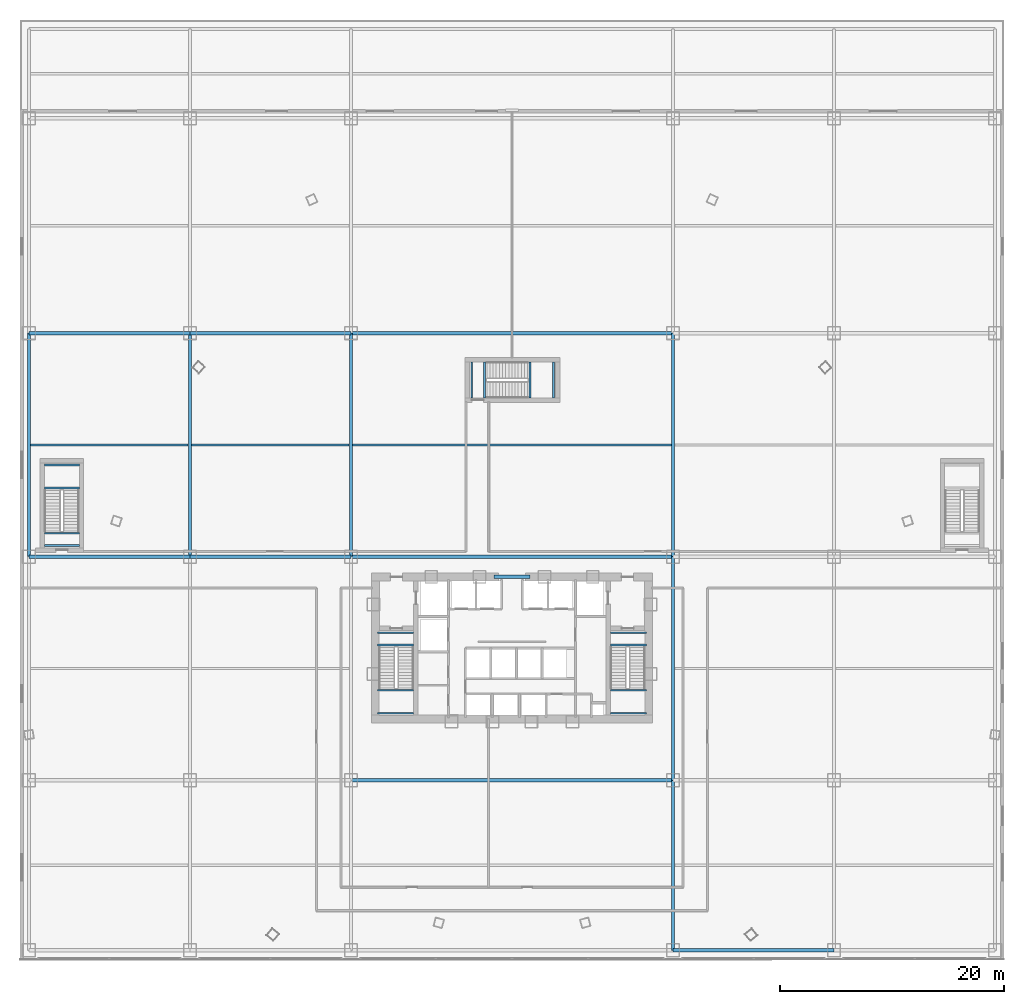
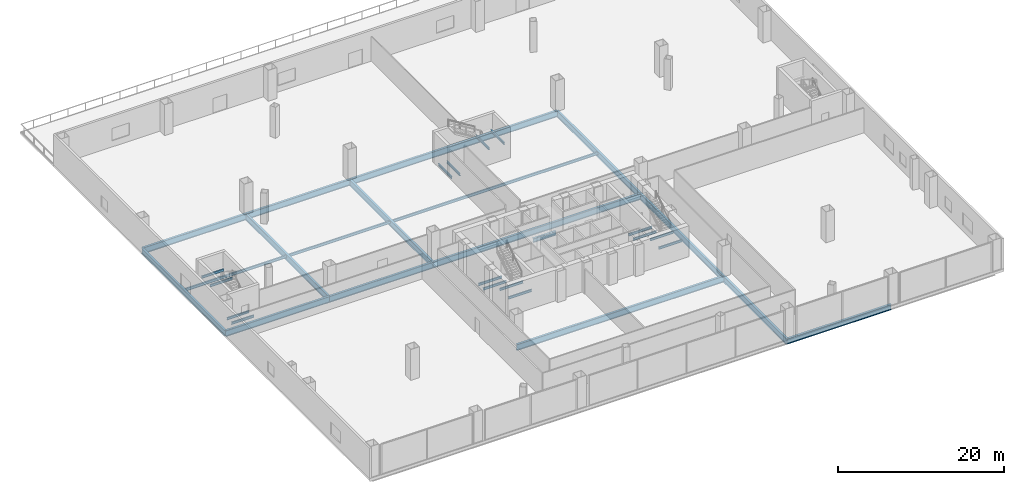
# One storey, part 12 of 27: 34 beams.
"""IFC4 building model written with IfcOpenShell, lengths in metres."""

from ifc_helpers import new_model, si_unit, direction, frame, origin, origin_2d, place, context, subcontext, project, spatial, i_section, extrude, source, transform, mapped, material, material_profile, profile_set, type_object, element, save


model = new_model("IFC4")

# Units and contexts
model_context = context("Model", 3, precision=1e-05, world=origin(), true_north=direction((0.0, 1.0)))
body_context = subcontext(model_context, "Body", "Model", "MODEL_VIEW")
ifc_project = project(units=[si_unit("LENGTHUNIT", "METRE"), si_unit("AREAUNIT", "SQUARE_METRE"), si_unit("VOLUMEUNIT", "CUBIC_METRE"), si_unit("PLANEANGLEUNIT", "RADIAN"), si_unit("MASSUNIT", "GRAM", prefix="KILO"), si_unit("THERMODYNAMICTEMPERATUREUNIT", "KELVIN"), si_unit("POWERUNIT", "WATT")], contexts=[model_context])

# Site, building, storey
site_placement = place(None, origin())
site = spatial("IfcSite", under=ifc_project, at=site_placement, CompositionType="ELEMENT")
building_placement = place(site_placement, origin())
building = spatial("IfcBuilding", under=site, at=building_placement, Name="Yunzhuo Pagoda Commons", CompositionType="ELEMENT")
storey_placement = place(building_placement, frame((0.0, 0.0, 9.60009765625)))
storey = spatial("IfcBuildingStorey", under=building, at=storey_placement, Name="L03", CompositionType="ELEMENT", Elevation=9.60009765625)

# Beams
ifc_material_1 = material(Name="Structural steel Q355B", Category="steel")
ifc_material_profile_1 = material_profile(ifc_material_1, i_section(OverallWidth=0.175048828125, OverallDepth=0.35009765625, WebThickness=0.007080078125, FlangeThickness=0.010986328125, at=origin_2d()), Name="Structural steel Q355B")
ifc_profile_set_1 = profile_set([ifc_material_profile_1], Name="Structural steel Q355B")
beam_type_1 = type_object("IfcBeamType", Name="B-JS2 Joist HN 350x175x7x11", PredefinedType="JOIST", material=ifc_profile_set_1)
shared_shape_1 = source(origin(), body_context, "Body", "SweptSolid", [
    extrude(i_section(OverallWidth=0.175048828125, OverallDepth=0.35009765625, WebThickness=0.007080078125, FlangeThickness=0.010986328125, at=origin_2d()), origin(), (0.0, 0.0, 1.0), 3.25),
])
for number, where, z_axis, x_axis, name in (
    (1, (35.949951171875, 28.0, 2.02490234375), (1.0, 0.0, 0.0), (0.0, 1.0, 0.0), "L03 ST1 landing support beam 5A"),
    (2, (35.949951171875, 30.06005859375, 2.02490234375), (1.0, 0.0, 0.0), (0.0, 1.0, 0.0), "L03 ST1 landing support beam 5B"),
    (3, (35.949951171875, 34.10009765625, -0.375), (1.0, 0.0, 0.0), (0.0, 1.0, 0.0), "L03 ST1 landing support beam 107A"),
    (4, (35.949951171875, 35.199951171875, -0.375), (1.0, 0.0, 0.0), (0.0, 1.0, 0.0), "L03 ST1 landing support beam 107B"),
    (5, (56.800048828125, 28.0, 2.02490234375), (1.0, 0.0, 0.0), (0.0, 1.0, 0.0), "L03 ST2 landing support beam 5A"),
    (6, (56.800048828125, 30.06005859375, 2.02490234375), (1.0, 0.0, 0.0), (0.0, 1.0, 0.0), "L03 ST2 landing support beam 5B"),
    (7, (56.800048828125, 34.10009765625, -0.375), (1.0, 0.0, 0.0), (0.0, 1.0, 0.0), "L03 ST2 landing support beam 107A"),
    (8, (56.800048828125, 35.199951171875, -0.375), (1.0, 0.0, 0.0), (0.0, 1.0, 0.0), "L03 ST2 landing support beam 107B"),
):
    element("IfcBeam", number, at=place(storey_placement, frame(where, z_axis=z_axis, x_axis=x_axis)), inside=storey, type_object=beam_type_1, Name=name, PredefinedType="JOIST", context=body_context, shape_type="MappedRepresentation", body=[
        mapped(shared_shape_1, transform((0.0, 0.0, 0.0), scale=1.0)),
    ])
shared_shape_2 = source(origin(), body_context, "Body", "SweptSolid", [
    extrude(i_section(OverallWidth=0.175048828125, OverallDepth=0.35009765625, WebThickness=0.007080078125, FlangeThickness=0.010986328125, at=origin_2d()), origin(), (0.0, 0.0, 1.0), 3.199951171875),
])
for number, where, z_axis, x_axis, name in (
    (9, (49.590087890625, 56.199951171875, 2.02490234375), (0.0, 1.0, 0.0), (-1.0, 0.0, 0.0), "L03 ST3 landing support beam 5A"),
    (10, (51.699951171875, 56.199951171875, 2.02490234375), (0.0, 1.0, 0.0), (-1.0, 0.0, 0.0), "L03 ST3 landing support beam 5B"),
    (11, (44.39990234375, 56.199951171875, -0.375), (0.0, 1.0, 0.0), (-1.0, 0.0, 0.0), "L03 ST3 landing support beam 77A"),
    (12, (45.550048828125, 56.199951171875, -0.375), (0.0, 1.0, 0.0), (-1.0, 0.0, 0.0), "L03 ST3 landing support beam 77B"),
):
    element("IfcBeam", number, at=place(storey_placement, frame(where, z_axis=z_axis, x_axis=x_axis)), inside=storey, type_object=beam_type_1, Name=name, PredefinedType="JOIST", context=body_context, shape_type="MappedRepresentation", body=[
        mapped(shared_shape_2, transform((0.0, 0.0, 0.0), scale=1.0)),
    ])
shared_shape_3 = source(origin(), body_context, "Body", "SweptSolid", [
    extrude(i_section(OverallWidth=0.175048828125, OverallDepth=0.35009765625, WebThickness=0.007080078125, FlangeThickness=0.010986328125, at=origin_2d()), origin(), (0.0, 0.0, 1.0), 3.10009765625),
])
for number, where, z_axis, x_axis, name in (
    (13, (6.199951171875, 48.139892578125, 2.02490234375), (1.0, 0.0, 0.0), (0.0, 1.0, 0.0), "L03 PS3 landing support beam 5A"),
    (14, (6.199951171875, 50.199951171875, 2.02490234375), (1.0, 0.0, 0.0), (0.0, 1.0, 0.0), "L03 PS3 landing support beam 5B"),
    (15, (6.199951171875, 43.0, -0.375), (1.0, 0.0, 0.0), (0.0, 1.0, 0.0), "L03 PS3 landing support beam 13A"),
    (16, (6.199951171875, 44.10009765625, -0.375), (1.0, 0.0, 0.0), (0.0, 1.0, 0.0), "L03 PS3 landing support beam 13B"),
):
    element("IfcBeam", number, at=place(storey_placement, frame(where, z_axis=z_axis, x_axis=x_axis)), inside=storey, type_object=beam_type_1, Name=name, PredefinedType="JOIST", context=body_context, shape_type="MappedRepresentation", body=[
        mapped(shared_shape_3, transform((0.0, 0.0, 0.0), scale=1.0)),
    ])
ifc_material_2 = material(Name="Structural steel Q420B", Category="steel")
ifc_material_profile_2 = material_profile(ifc_material_2, i_section(OverallWidth=0.300048828125, OverallDepth=0.587890625, WebThickness=0.011962890625, FlangeThickness=0.02001953125, at=origin_2d()), Name="Structural steel Q420B")
ifc_profile_set_2 = profile_set([ifc_material_profile_2], Name="Structural steel Q420B")
beam_type_2 = type_object("IfcBeamType", Name="B-CPL Beam HM 588x300x12x20", PredefinedType="BEAM", material=ifc_profile_set_2)
shared_shape_4 = source(origin(), body_context, "Body", "SweptSolid", [
    extrude(i_section(OverallWidth=0.300048828125, OverallDepth=0.587890625, WebThickness=0.011962890625, FlangeThickness=0.02001953125, at=origin_2d()), origin(), (0.0, 0.0, 1.0), 3.2001953125),
])
beam_1_placement = place(storey_placement, frame((46.39990234375, 40.199951171875, -0.57421875), z_axis=(1.0, 0.0, 0.0), x_axis=(0.0, 1.0, 0.0)))
element("IfcBeam", 17, at=beam_1_placement, inside=storey, type_object=beam_type_2, Name="L03 core coupling girder", PredefinedType="BEAM", context=body_context, shape_type="MappedRepresentation", body=[
    mapped(shared_shape_4, transform((0.0, 0.0, 0.0), scale=1.0)),
])
ifc_material_profile_3 = material_profile(ifc_material_1, i_section(OverallWidth=0.300048828125, OverallDepth=0.800048828125, WebThickness=0.013916015625, FlangeThickness=0.02587890625, at=origin_2d()), Name="Structural steel Q355B")
ifc_profile_set_3 = profile_set([ifc_material_profile_3], Name="Structural steel Q355B")
beam_type_3 = type_object("IfcBeamType", Name="B-PD2 Beam HN 800x300x14x26", PredefinedType="BEAM", material=ifc_profile_set_3)
shared_shape_5 = source(origin(), body_context, "Body", "SweptSolid", [
    extrude(i_section(OverallWidth=0.300048828125, OverallDepth=0.800048828125, WebThickness=0.013916015625, FlangeThickness=0.02587890625, at=origin_2d()), origin(), (0.0, 0.0, 1.0), 14.400146484375),
])
beam_2_placement = place(storey_placement, frame((62.39990234375, 6.800048828125, -0.68017578125), z_axis=(1.0, 0.0, 0.0), x_axis=(0.0, 1.0, 0.0)))
element("IfcBeam", 18, at=beam_2_placement, inside=storey, type_object=beam_type_3, Name="L03 podium girder EW 1.4", PredefinedType="BEAM", context=body_context, shape_type="MappedRepresentation", body=[
    mapped(shared_shape_5, transform((0.0, 0.0, 0.0), scale=1.0)),
])
ifc_material_profile_4 = material_profile(ifc_material_1, i_section(OverallWidth=0.300048828125, OverallDepth=0.89990234375, WebThickness=0.01611328125, FlangeThickness=0.028076171875, at=origin_2d()), Name="Structural steel Q355B")
ifc_profile_set_4 = profile_set([ifc_material_profile_4], Name="Structural steel Q355B")
beam_type_4 = type_object("IfcBeamType", Name="B-PD1 Beam HN 900x300x16x28", PredefinedType="BEAM", material=ifc_profile_set_4)
shared_shape_6 = source(origin(), body_context, "Body", "SweptSolid", [
    extrude(i_section(OverallWidth=0.300048828125, OverallDepth=0.89990234375, WebThickness=0.01611328125, FlangeThickness=0.028076171875, at=origin_2d()), origin(), (0.0, 0.0, 1.0), 14.39990234375),
])
for number, where, z_axis, x_axis, name in (
    (19, (4.800048828125, 42.0, -0.72998046875), (1.0, 0.0, 0.0), (0.0, 1.0, 0.0), "L03 podium girder EW 3.1"),
    (20, (4.800048828125, 62.0, -0.72998046875), (1.0, 0.0, 0.0), (0.0, 1.0, 0.0), "L03 podium girder EW 4.1"),
):
    element("IfcBeam", number, at=place(storey_placement, frame(where, z_axis=z_axis, x_axis=x_axis)), inside=storey, type_object=beam_type_4, Name=name, PredefinedType="BEAM", context=body_context, shape_type="MappedRepresentation", body=[
        mapped(shared_shape_6, transform((0.0, 0.0, 0.0), scale=1.0)),
    ])
shared_shape_7 = source(origin(), body_context, "Body", "SweptSolid", [
    extrude(i_section(OverallWidth=0.300048828125, OverallDepth=0.89990234375, WebThickness=0.01611328125, FlangeThickness=0.028076171875, at=origin_2d()), origin(), (0.0, 0.0, 1.0), 14.400146484375),
])
for number, where, z_axis, x_axis, name in (
    (21, (19.199951171875, 42.0, -0.72998046875), (1.0, 0.0, 0.0), (0.0, 1.0, 0.0), "L03 podium girder EW 3.2"),
    (22, (19.199951171875, 62.0, -0.72998046875), (1.0, 0.0, 0.0), (0.0, 1.0, 0.0), "L03 podium girder EW 4.2"),
):
    element("IfcBeam", number, at=place(storey_placement, frame(where, z_axis=z_axis, x_axis=x_axis)), inside=storey, type_object=beam_type_4, Name=name, PredefinedType="BEAM", context=body_context, shape_type="MappedRepresentation", body=[
        mapped(shared_shape_7, transform((0.0, 0.0, 0.0), scale=1.0)),
    ])
shared_shape_8 = source(origin(), body_context, "Body", "SweptSolid", [
    extrude(i_section(OverallWidth=0.300048828125, OverallDepth=0.89990234375, WebThickness=0.01611328125, FlangeThickness=0.028076171875, at=origin_2d()), origin(), (0.0, 0.0, 1.0), 28.7998046875),
])
for number, where, z_axis, x_axis, name in (
    (23, (33.60009765625, 22.0, -0.72998046875), (1.0, 0.0, 0.0), (0.0, 1.0, 0.0), "L03 podium girder EW 2.3"),
    (24, (33.60009765625, 42.0, -0.72998046875), (1.0, 0.0, 0.0), (0.0, 1.0, 0.0), "L03 podium girder EW 3.3"),
    (25, (33.60009765625, 62.0, -0.72998046875), (1.0, 0.0, 0.0), (0.0, 1.0, 0.0), "L03 podium girder EW 4.3"),
):
    element("IfcBeam", number, at=place(storey_placement, frame(where, z_axis=z_axis, x_axis=x_axis)), inside=storey, type_object=beam_type_4, Name=name, PredefinedType="BEAM", context=body_context, shape_type="MappedRepresentation", body=[
        mapped(shared_shape_8, transform((0.0, 0.0, 0.0), scale=1.0)),
    ])
ifc_material_profile_5 = material_profile(ifc_material_1, i_section(OverallWidth=0.199951171875, OverallDepth=0.39990234375, WebThickness=0.008056640625, FlangeThickness=0.012939453125, at=origin_2d()), Name="Structural steel Q355B")
ifc_profile_set_5 = profile_set([ifc_material_profile_5], Name="Structural steel Q355B")
beam_type_5 = type_object("IfcBeamType", Name="B-JS1 Joist HN 400x200x8x13", PredefinedType="JOIST", material=ifc_profile_set_5)
shared_shape_9 = source(origin(), body_context, "Body", "SweptSolid", [
    extrude(i_section(OverallWidth=0.199951171875, OverallDepth=0.39990234375, WebThickness=0.008056640625, FlangeThickness=0.012939453125, at=origin_2d()), origin(), (0.0, 0.0, 1.0), 14.08984375),
])
for number, where, z_axis, x_axis, name in (
    (26, (4.955078125, 52.0, -0.47998046875), (1.0, 0.0, 0.0), (0.0, 1.0, 0.0), "L03 podium composite joist 1.3"),
    (27, (19.355224609375, 52.0, -0.47998046875), (1.0, 0.0, 0.0), (0.0, 1.0, 0.0), "L03 podium composite joist 2.3"),
):
    element("IfcBeam", number, at=place(storey_placement, frame(where, z_axis=z_axis, x_axis=x_axis)), inside=storey, type_object=beam_type_5, Name=name, PredefinedType="JOIST", context=body_context, shape_type="MappedRepresentation", body=[
        mapped(shared_shape_9, transform((0.0, 0.0, 0.0), scale=1.0)),
    ])
shared_shape_10 = source(origin(), body_context, "Body", "SweptSolid", [
    extrude(i_section(OverallWidth=0.300048828125, OverallDepth=0.800048828125, WebThickness=0.013916015625, FlangeThickness=0.02587890625, at=origin_2d()), origin(), (0.0, 0.0, 1.0), 20.0),
])
beam_3_placement = place(storey_placement, frame((4.800048828125, 42.0, -0.68017578125), z_axis=(0.0, 1.0, 0.0), x_axis=(-1.0, 0.0, 0.0)))
element("IfcBeam", 28, at=beam_3_placement, inside=storey, type_object=beam_type_3, Name="L03 podium girder NS 1.3", PredefinedType="BEAM", context=body_context, shape_type="MappedRepresentation", body=[
    mapped(shared_shape_10, transform((0.0, 0.0, 0.0), scale=1.0)),
])
shared_shape_11 = source(origin(), body_context, "Body", "SweptSolid", [
    extrude(i_section(OverallWidth=0.300048828125, OverallDepth=0.89990234375, WebThickness=0.01611328125, FlangeThickness=0.028076171875, at=origin_2d()), origin(), (0.0, 0.0, 1.0), 15.199951171875),
])
beam_4_placement = place(storey_placement, frame((62.39990234375, 6.800048828125, -0.72998046875), z_axis=(0.0, 1.0, 0.0), x_axis=(-1.0, 0.0, 0.0)))
element("IfcBeam", 29, at=beam_4_placement, inside=storey, type_object=beam_type_4, Name="L03 podium girder NS 4.1", PredefinedType="BEAM", context=body_context, shape_type="MappedRepresentation", body=[
    mapped(shared_shape_11, transform((0.0, 0.0, 0.0), scale=1.0)),
])
shared_shape_12 = source(origin(), body_context, "Body", "SweptSolid", [
    extrude(i_section(OverallWidth=0.300048828125, OverallDepth=0.89990234375, WebThickness=0.01611328125, FlangeThickness=0.028076171875, at=origin_2d()), origin(), (0.0, 0.0, 1.0), 20.0),
])
for number, where, z_axis, x_axis, name in (
    (30, (19.199951171875, 42.0, -0.72998046875), (0.0, 1.0, 0.0), (-1.0, 0.0, 0.0), "L03 podium girder NS 2.3"),
    (31, (33.60009765625, 42.0, -0.72998046875), (0.0, 1.0, 0.0), (-1.0, 0.0, 0.0), "L03 podium girder NS 3.3"),
    (32, (62.39990234375, 22.0, -0.72998046875), (0.0, 1.0, 0.0), (-1.0, 0.0, 0.0), "L03 podium girder NS 4.2"),
    (33, (62.39990234375, 42.0, -0.72998046875), (0.0, 1.0, 0.0), (-1.0, 0.0, 0.0), "L03 podium girder NS 4.3"),
):
    element("IfcBeam", number, at=place(storey_placement, frame(where, z_axis=z_axis, x_axis=x_axis)), inside=storey, type_object=beam_type_4, Name=name, PredefinedType="BEAM", context=body_context, shape_type="MappedRepresentation", body=[
        mapped(shared_shape_12, transform((0.0, 0.0, 0.0), scale=1.0)),
    ])
shared_shape_13 = source(origin(), body_context, "Body", "SweptSolid", [
    extrude(i_section(OverallWidth=0.199951171875, OverallDepth=0.39990234375, WebThickness=0.008056640625, FlangeThickness=0.012939453125, at=origin_2d()), origin(), (0.0, 0.0, 1.0), 28.490234375),
])
beam_5_placement = place(storey_placement, frame((33.7548828125, 52.0, -0.47998046875), z_axis=(1.0, 0.0, 0.0), x_axis=(0.0, 1.0, 0.0)))
element("IfcBeam", 34, at=beam_5_placement, inside=storey, type_object=beam_type_5, Name="L03 podium composite joist 3.3", PredefinedType="JOIST", context=body_context, shape_type="MappedRepresentation", body=[
    mapped(shared_shape_13, transform((0.0, 0.0, 0.0), scale=1.0)),
])

save(model, "model.ifc")
